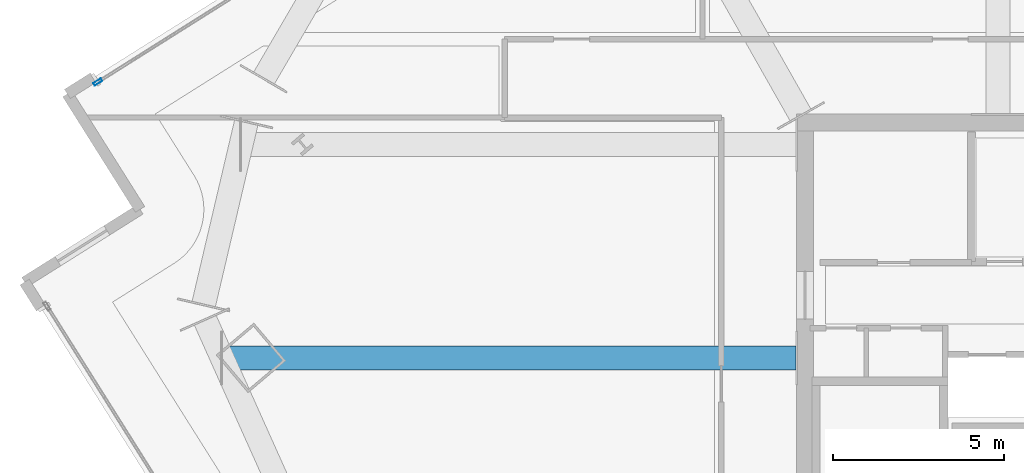
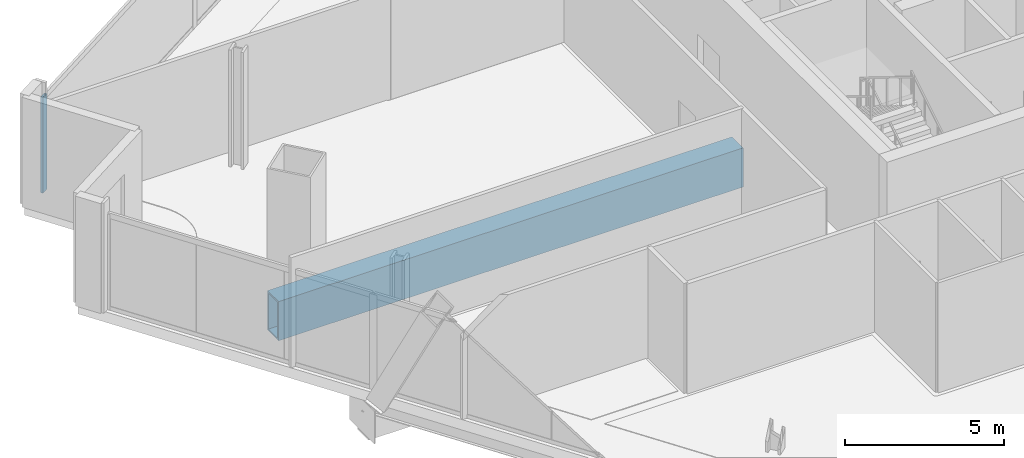
# One storey, part 10 of 29: 1 beam, 1 member, 1 element without a shape of its own.
"""IFC4 building model written with IfcOpenShell, lengths in metres."""

import ifcopenshell
import ifcopenshell.guid

model = None  # the IFC model being written
_history = None  # IfcOwnerHistory: only IFC2X3 demands one
_inside = {}  # id of a spatial element -> (the spatial element, [elements in it])
_under = {}  # id of a project, library or spatial element -> (it, [spatial elements below it])
_declared = {}  # id of a project -> (the project, [libraries it declares])
_typed = {}  # id of a type object -> (the type object, [elements of that type])
_made_of = {}  # id of a material, layer set ... -> (it, [elements and type objects made of it])


def new_model(schema):
    """Start an empty IFC model of exactly this schema.

    Asked for "IFC4X3", IfcOpenShell would pick the latest addendum, in which some entities
    have other attributes; the version numbers below select the first issue.
    IFC2X3 requires an IfcOwnerHistory on every rooted entity: one is made here for all.
    """
    global model, _history
    if schema == "IFC4X3":
        model = ifcopenshell.file(schema_version=(4, 3, 0, 0))
    else:
        model = ifcopenshell.file(schema=schema)
    _inside.clear()
    _under.clear()
    _declared.clear()
    _typed.clear()
    _made_of.clear()
    _history = None
    if model.schema == "IFC2X3":
        org = make("IfcOrganization", Name="unknown")
        user = make(
            "IfcPersonAndOrganization",
            ThePerson=make("IfcPerson", FamilyName="unknown"),
            TheOrganization=org,
        )
        app = make(
            "IfcApplication",
            ApplicationDeveloper=org,
            Version="unknown",
            ApplicationFullName="unknown",
            ApplicationIdentifier="unknown",
        )
        _history = make(
            "IfcOwnerHistory",
            OwningUser=user,
            OwningApplication=app,
            ChangeAction="ADDED",
            CreationDate=0,
        )
    return model


def make(cls, **values):
    """One entity of the class cls with the attributes given. An attribute that is None is left unset."""
    return model.create_entity(
        cls, **{name: value for name, value in values.items() if value is not None}
    )


def rooted(cls, **values):
    """An entity with a GlobalId (a new one), such as an element, a storey or a relation."""
    return make(cls, GlobalId=ifcopenshell.guid.new(), OwnerHistory=_history, **values)


def si_unit(unit_type, name, prefix=None):
    """IfcSIUnit, for example si_unit("LENGTHUNIT", "METRE", prefix="MILLI")."""
    return make("IfcSIUnit", UnitType=unit_type, Prefix=prefix, Name=name)


def assignment(units):
    """IfcUnitAssignment: the units of a project."""
    return None if units is None else make("IfcUnitAssignment", Units=units)


def point(xyz):
    """IfcCartesianPoint."""
    return None if xyz is None else make("IfcCartesianPoint", Coordinates=xyz)


def direction(xyz):
    """IfcDirection."""
    return None if xyz is None else make("IfcDirection", DirectionRatios=xyz)


def frame(location, z_axis=None, x_axis=None):
    """IfcAxis2Placement3D, a coordinate frame: its origin and axes. An axis left out is left unset."""
    return make(
        "IfcAxis2Placement3D",
        Location=point(location),
        Axis=direction(z_axis),
        RefDirection=direction(x_axis),
    )


def frame_2d(location, x_axis=None):
    """IfcAxis2Placement2D, a coordinate frame in the plane: its origin and x axis."""
    return make(
        "IfcAxis2Placement2D", Location=point(location), RefDirection=direction(x_axis)
    )


def origin():
    """The frame at (0, 0, 0) with its axes left unset."""
    return frame((0.0, 0.0, 0.0))


def origin_2d():
    """The frame at (0, 0) in the plane with its x axis left unset."""
    return frame_2d((0.0, 0.0))


def place(relative_to, where):
    """IfcLocalPlacement: puts the frame where relative to a parent placement (None: the world)."""
    return make(
        "IfcLocalPlacement", PlacementRelTo=relative_to, RelativePlacement=where
    )


def context(
    kind, dimensions, precision=None, world=None, true_north=None, identifier=None
):
    """IfcGeometricRepresentationContext, for example the 3D "Model" context."""
    return make(
        "IfcGeometricRepresentationContext",
        ContextIdentifier=identifier,
        ContextType=kind,
        CoordinateSpaceDimension=dimensions,
        Precision=precision,
        WorldCoordinateSystem=world,
        TrueNorth=true_north,
    )


def subcontext(parent, identifier, kind, view, scale=None):
    """IfcGeometricRepresentationSubContext, for example "Body" below "Model"."""
    return make(
        "IfcGeometricRepresentationSubContext",
        ContextIdentifier=identifier,
        ContextType=kind,
        ParentContext=parent,
        TargetScale=scale,
        TargetView=view,
    )


def project(units=None, contexts=None):
    """IfcProject with its units and contexts."""
    return rooted(
        "IfcProject",
        Name="project",
        RepresentationContexts=contexts,
        UnitsInContext=assignment(units),
    )


def spatial(cls, under=None, at=None, **own):
    """A site, building, storey or space (cls), placed at a placement, below another one or the project."""
    s = rooted(cls, ObjectPlacement=at, **own)
    if under is not None:
        _under.setdefault(under.id(), (under, []))[1].append(s)
    return s


def profile(cls, at=None, kind="AREA", **sizes):
    """A parametric profile (cls). Its sizes go by their IFC names, for example OverallWidth=200.0."""
    return make(cls, ProfileType=kind, Position=at, **sizes)


def hollow_rectangle(**sizes):
    """IfcRectangleHollowProfileDef."""
    return profile("IfcRectangleHollowProfileDef", **sizes)


def extrude(swept, where, along, depth):
    """IfcExtrudedAreaSolid: the profile swept, set in the frame where, extruded along a direction by depth."""
    return make(
        "IfcExtrudedAreaSolid",
        SweptArea=swept,
        Position=where,
        ExtrudedDirection=direction(along),
        Depth=depth,
    )


def shape(context_of_items, identifier, shape_type, items):
    """IfcShapeRepresentation: the items that make up one representation, for example the "Body"."""
    return make(
        "IfcShapeRepresentation",
        ContextOfItems=context_of_items,
        RepresentationIdentifier=identifier,
        RepresentationType=shape_type,
        Items=items,
    )


def material(Name=None, Category=None):
    """IfcMaterial."""
    return make("IfcMaterial", Name=Name, Category=Category)


def material_profile(
    of_material, cross_section, Name=None, Category=None, Priority=None
):
    """IfcMaterialProfile: a cross section and its material."""
    return make(
        "IfcMaterialProfile",
        Name=Name,
        Material=of_material,
        Profile=cross_section,
        Priority=Priority,
        Category=Category,
    )


def profile_set(profiles, Name=None, composite=None):
    """IfcMaterialProfileSet."""
    return make(
        "IfcMaterialProfileSet",
        Name=Name,
        MaterialProfiles=profiles,
        CompositeProfile=composite,
    )


def made_of(thing, what):
    """Note that an element or type object is made of a material, layer set ...; save() writes the relation."""
    if what is not None:
        _made_of.setdefault(what.id(), (what, []))[1].append(thing)
    return thing


def type_object(cls, material=None, **own):
    """A type object (cls), such as IfcWallType, which elements share."""
    return made_of(rooted(cls, **own), material)


def element(
    cls,
    number,
    at=None,
    inside=None,
    cuts=None,
    type_object=None,
    material=None,
    context=None,
    identifier="Body",
    shape_type=None,
    held_by="IfcProductDefinitionShape",
    body=None,
    shapes=None,
    **own,
):
    """One element of the class cls, such as IfcWall. Its Tag is "e" and its number.

    at: its placement. inside: the storey or other place that contains it. cuts: it is an
    opening in that element (IfcRelVoidsElement). A single representation is given by context,
    identifier, shape_type and body (its items); several are given by shapes. held_by: the class
    of the entity that holds the representations. save() writes the other relations.
    """
    e = rooted(cls, Tag="e%d" % number, ObjectPlacement=at, **own)
    if body is not None:
        shapes = [shape(context, identifier, shape_type, body)]
    if shapes is not None:
        e.Representation = make(held_by, Representations=shapes)
    if inside is not None:
        _inside.setdefault(inside.id(), (inside, []))[1].append(e)
    if cuts is not None:
        rooted(
            "IfcRelVoidsElement", RelatingBuildingElement=cuts, RelatedOpeningElement=e
        )
    if type_object is not None:
        _typed.setdefault(type_object.id(), (type_object, []))[1].append(e)
    return made_of(e, material)


def aggregate(whole, parts):
    """IfcRelAggregates: a whole, such as a stair, and the parts it consists of."""
    return rooted("IfcRelAggregates", RelatingObject=whole, RelatedObjects=parts)


def save(model, path):
    """Write the relations noted so far, then the file.

    IfcRelAggregates (storeys below a building ...), IfcRelContainedInSpatialStructure (elements
    in a storey), IfcRelDefinesByType, IfcRelAssociatesMaterial and IfcRelDeclares: one each for
    every whole, place, type object, material and project.
    """
    for whole, parts in _under.values():
        aggregate(whole, parts)
    for where, things in _inside.values():
        rooted(
            "IfcRelContainedInSpatialStructure",
            RelatedElements=things,
            RelatingStructure=where,
        )
    for kind, things in _typed.values():
        rooted("IfcRelDefinesByType", RelatedObjects=things, RelatingType=kind)
    for what, things in _made_of.values():
        rooted("IfcRelAssociatesMaterial", RelatedObjects=things, RelatingMaterial=what)
    for by, libraries in _declared.values():
        rooted("IfcRelDeclares", RelatingContext=by, RelatedDefinitions=libraries)
    model.write(path)


model = new_model("IFC4")

# Units and contexts
model_context = context("Model", 3, precision=1e-05, world=origin(), true_north=direction((0.0, 1.0)))
body_context = subcontext(model_context, "Body", "Model", "MODEL_VIEW")
ifc_project = project(units=[si_unit("LENGTHUNIT", "METRE"), si_unit("AREAUNIT", "SQUARE_METRE"), si_unit("VOLUMEUNIT", "CUBIC_METRE"), si_unit("PLANEANGLEUNIT", "RADIAN"), si_unit("MASSUNIT", "GRAM", prefix="KILO")], contexts=[model_context])

# Site, building, storey
site_placement = place(None, origin())
site = spatial("IfcSite", under=ifc_project, at=site_placement, CompositionType="ELEMENT")
building_placement = place(site_placement, origin())
building = spatial("IfcBuilding", under=site, at=building_placement, Name="Haldenkirk Collegiate Tower", CompositionType="ELEMENT")
storey_placement = place(building_placement, frame((0.0, 0.0, 136.199951171875)))
storey = spatial("IfcBuildingStorey", under=building, at=storey_placement, Name="L33", CompositionType="ELEMENT", Elevation=136.199951171875)

# Beam
ifc_material_1 = material(Name="Steel ASTM A572 Grade 50", Category="steel")
ifc_material_profile_1 = material_profile(ifc_material_1, hollow_rectangle(XDim=0.699951171875, YDim=1.5, WallThickness=0.06005859375, at=origin_2d()), Name="BOX1500X700X60")
ifc_profile_set_1 = profile_set([ifc_material_profile_1], Name="Steel ASTM A572 Grade 50")
beam_type = type_object("IfcBeamType", Name="BM-TRANSFER-BOX1500X700X60", PredefinedType="BEAM", material=ifc_profile_set_1)
beam_placement = place(storey_placement, frame((9.915283203125, 27.103759765625, -1.14990234375), z_axis=(1.0, 0.0, 0.0), x_axis=(0.0, 1.0, 0.0)))
element("IfcBeam", 1, at=beam_placement, inside=storey, type_object=beam_type, Name="L33 sky-lobby radial transfer girder 04", PredefinedType="BEAM", context=body_context, shape_type="SweptSolid", body=[
    extrude(hollow_rectangle(XDim=0.699951171875, YDim=1.5, WallThickness=0.06005859375, at=origin_2d()), origin(), (0.0, 0.0, 1.0), 16.829833984375),
])

# Curtain wall, member
ifc_material_2 = material(Name="Anodised architectural bronze aluminium", Category="aluminium")
curtain_wall_type = type_object("IfcCurtainWallType", Name="CW-SYS4-SKYGARDEN", PredefinedType="USERDEFINED", material=ifc_material_2)
curtain_wall_placement = place(storey_placement, origin())
curtain_wall = element("IfcCurtainWall", 2, at=curtain_wall_placement, inside=storey, type_object=curtain_wall_type, Name="L33 Sky-garden tall bronze curtain wall", ObjectType="UNITISED CURTAIN WALL", PredefinedType="USERDEFINED")
ifc_material_profile_2 = material_profile(ifc_material_2, hollow_rectangle(XDim=0.090087890625, YDim=0.260009765625, WallThickness=0.0048828125, at=origin_2d()), Name="CW-MUL-04")
ifc_profile_set_2 = profile_set([ifc_material_profile_2], Name="Anodised architectural bronze aluminium")
member_type = type_object("IfcMemberType", Name="CW-MUL-04", PredefinedType="MULLION", material=ifc_profile_set_2)
member_placement = place(storey_placement, frame((6.273681640625, 35.193603515625, 0.0), z_axis=(0.0, 0.0, 1.0), x_axis=(-0.532877157609, 0.846192610993, 0.0)))
member = element("IfcMember", 3, at=member_placement, type_object=member_type, Name="CW-04 mullion 1", PredefinedType="MULLION", context=body_context, shape_type="SweptSolid", body=[
    extrude(hollow_rectangle(XDim=0.090087890625, YDim=0.260009765625, WallThickness=0.0048828125, at=origin_2d()), origin(), (0.0, 0.0, 1.0), 3.6611328125),
])
aggregate(curtain_wall, [member])

save(model, "model.ifc")
